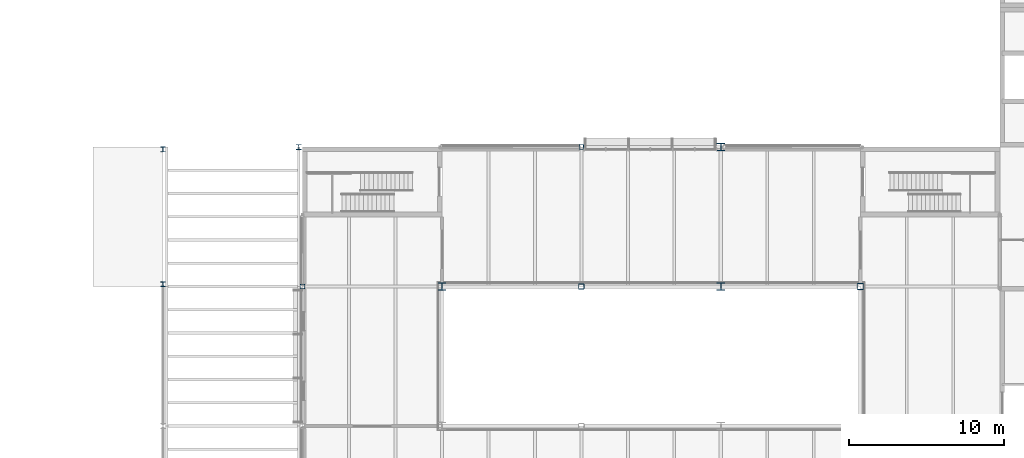
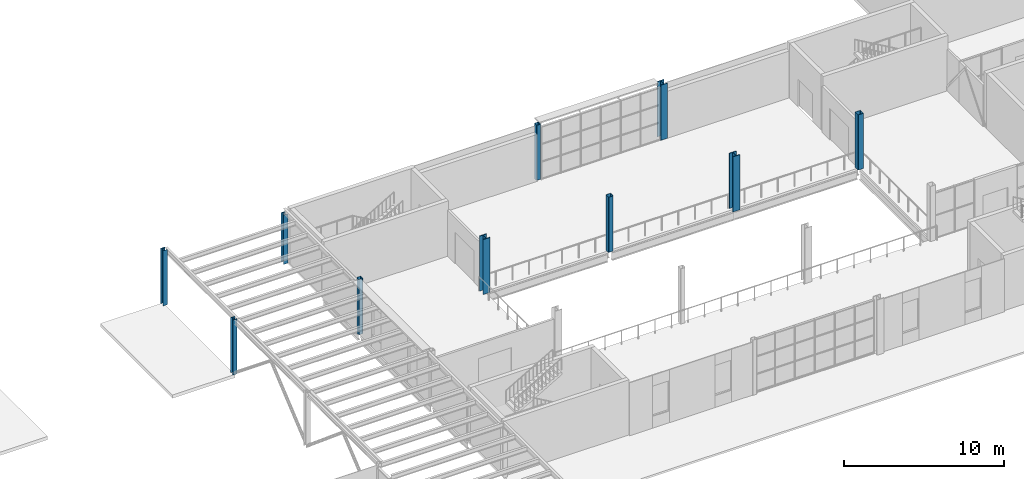
# One storey, part 3 of 57: 10 columns.
"""IFC4 building model written with IfcOpenShell, lengths in metres."""

from ifc_helpers import new_model, si_unit, direction, frame, origin, origin_2d, place, context, subcontext, project, spatial, hollow_rectangle, i_section, extrude, material, material_profile, profile_set, type_object, element, save


model = new_model("IFC4")

# Units and contexts
model_context = context("Model", 3, precision=1e-05, world=origin(), true_north=direction((0.0, 1.0)))
body_context = subcontext(model_context, "Body", "Model", "MODEL_VIEW")
ifc_project = project(units=[si_unit("LENGTHUNIT", "METRE"), si_unit("AREAUNIT", "SQUARE_METRE"), si_unit("VOLUMEUNIT", "CUBIC_METRE"), si_unit("PLANEANGLEUNIT", "RADIAN"), si_unit("MASSUNIT", "GRAM", prefix="KILO")], contexts=[model_context])

# Site, building, storey
site_placement = place(None, origin())
site = spatial("IfcSite", under=ifc_project, at=site_placement, CompositionType="ELEMENT")
building_placement = place(site_placement, origin())
building = spatial("IfcBuilding", under=site, at=building_placement, Name="Halyard Row Museum", CompositionType="ELEMENT")
storey_placement = place(building_placement, frame((0.0, 0.0, 5.0)))
storey = spatial("IfcBuildingStorey", under=building, at=storey_placement, Name="L01", CompositionType="ELEMENT", Elevation=5.0)

# Columns
ifc_material_1 = material(Name="Steel Grade C350L0", Category="steel")
ifc_material_profile_1 = material_profile(ifc_material_1, hollow_rectangle(XDim=0.300048828125, YDim=0.300048828125, WallThickness=0.01611328125, InnerFilletRadius=0.02392578125, OuterFilletRadius=0.0400390625, at=origin_2d()), Name="300x300x16.0SHS")
ifc_profile_set_1 = profile_set([ifc_material_profile_1], Name="Steel Grade C350L0")
column_type_1 = type_object("IfcColumnType", Name="Column 300x300x16.0SHS edge", PredefinedType="COLUMN", material=ifc_profile_set_1)
for number, where, z_axis, x_axis, name in (
    (1, (27.0, 36.0, 0.0), (0.0, 0.0, 1.0), (1.0, 0.0, 0.0), "Column 4E L01"),
    (2, (45.0, 45.0, 0.0), (0.0, 0.0, 1.0), (1.0, 0.0, 0.0), "Column 6F L01"),
):
    element("IfcColumn", number, at=place(storey_placement, frame(where, z_axis=z_axis, x_axis=x_axis)), inside=storey, type_object=column_type_1, Name=name, PredefinedType="COLUMN", context=body_context, shape_type="SweptSolid", body=[
        extrude(hollow_rectangle(XDim=0.300048828125, YDim=0.300048828125, WallThickness=0.01611328125, InnerFilletRadius=0.02392578125, OuterFilletRadius=0.0400390625, at=origin_2d()), origin(), (0.0, 0.0, 1.0), 4.199951171875),
    ])
ifc_material_2 = material(Name="Steel Grade C350L0", Category="steel")
ifc_material_profile_2 = material_profile(ifc_material_2, hollow_rectangle(XDim=0.35009765625, YDim=0.35009765625, WallThickness=0.01611328125, InnerFilletRadius=0.02392578125, OuterFilletRadius=0.0400390625, at=origin_2d()), Name="350x350x16.0SHS")
ifc_profile_set_2 = profile_set([ifc_material_profile_2], Name="Steel Grade C350L0")
column_type_2 = type_object("IfcColumnType", Name="Column 350x350x16.0SHS edge", PredefinedType="COLUMN", material=ifc_profile_set_2)
column_1_placement = place(storey_placement, frame((45.0, 36.0, 0.0), z_axis=(0.0, 0.0, 1.0), x_axis=(1.0, 0.0, 0.0)))
element("IfcColumn", 3, at=column_1_placement, inside=storey, type_object=column_type_2, Name="Column 6E L01", PredefinedType="COLUMN", context=body_context, shape_type="SweptSolid", body=[
    extrude(hollow_rectangle(XDim=0.35009765625, YDim=0.35009765625, WallThickness=0.01611328125, InnerFilletRadius=0.02392578125, OuterFilletRadius=0.0400390625, at=origin_2d()), origin(), (0.0, 0.0, 1.0), 4.199951171875),
])
ifc_material_3 = material(Name="Steel Grade C350L0", Category="steel")
ifc_material_profile_3 = material_profile(ifc_material_3, hollow_rectangle(XDim=0.39990234375, YDim=0.39990234375, WallThickness=0.01611328125, InnerFilletRadius=0.02392578125, OuterFilletRadius=0.0400390625, at=origin_2d()), Name="400x400x16.0SHS")
ifc_profile_set_3 = profile_set([ifc_material_profile_3], Name="Steel Grade C350L0")
column_type_3 = type_object("IfcColumnType", Name="Column 400x400x16.0SHS edge", PredefinedType="COLUMN", material=ifc_profile_set_3)
column_2_placement = place(storey_placement, frame((63.0, 36.0, 0.0), z_axis=(0.0, 0.0, 1.0), x_axis=(1.0, 0.0, 0.0)))
element("IfcColumn", 4, at=column_2_placement, inside=storey, type_object=column_type_3, Name="Column 8E L01", PredefinedType="COLUMN", context=body_context, shape_type="SweptSolid", body=[
    extrude(hollow_rectangle(XDim=0.39990234375, YDim=0.39990234375, WallThickness=0.01611328125, InnerFilletRadius=0.02392578125, OuterFilletRadius=0.0400390625, at=origin_2d()), origin(), (0.0, 0.0, 1.0), 4.199951171875),
])
ifc_material_4 = material(Name="Steel Grade 300", Category="steel")
ifc_material_profile_4 = material_profile(ifc_material_4, i_section(OverallWidth=0.5, OverallDepth=0.47998046875, WebThickness=0.0400390625, FlangeThickness=0.0400390625, at=origin_2d()), Name="500WC440")
ifc_profile_set_4 = profile_set([ifc_material_profile_4], Name="Steel Grade 300")
column_type_4 = type_object("IfcColumnType", Name="Column 500WC440 truss", PredefinedType="COLUMN", material=ifc_profile_set_4)
for number, where, z_axis, x_axis, name in (
    (5, (36.0, 36.0, 0.0), (0.0, 0.0, 1.0), (1.0, 0.0, 0.0), "Column 5E L01"),
    (6, (54.0, 36.0, 0.0), (0.0, 0.0, 1.0), (1.0, 0.0, 0.0), "Column 7E L01"),
    (7, (54.0, 45.0, 0.0), (0.0, 0.0, 1.0), (1.0, 0.0, 0.0), "Column 7F L01"),
):
    element("IfcColumn", number, at=place(storey_placement, frame(where, z_axis=z_axis, x_axis=x_axis)), inside=storey, type_object=column_type_4, Name=name, PredefinedType="COLUMN", context=body_context, shape_type="SweptSolid", body=[
        extrude(i_section(OverallWidth=0.5, OverallDepth=0.47998046875, WebThickness=0.0400390625, FlangeThickness=0.0400390625, at=origin_2d()), origin(), (0.0, 0.0, 1.0), 4.199951171875),
    ])
ifc_material_5 = material(Name="Steel Grade 300", Category="steel")
ifc_material_profile_5 = material_profile(ifc_material_5, i_section(OverallWidth=0.31103515625, OverallDepth=0.3271484375, WebThickness=0.015625, FlangeThickness=0.02490234375, FilletRadius=0.0166015625, at=origin_2d()), Name="310UC158")
ifc_profile_set_5 = profile_set([ifc_material_profile_5], Name="Steel Grade 300")
column_type_5 = type_object("IfcColumnType", Name="Hall frame column 310UC158", PredefinedType="COLUMN", material=ifc_profile_set_5)
for number, where, z_axis, x_axis, name in (
    (8, (18.0, 36.14990234375, 0.0), (0.0, 0.0, 1.0), (1.0, 0.0, 0.0), "Hall frame column L01 y 36"),
    (9, (18.0, 44.85009765625, 0.0), (0.0, 0.0, 1.0), (1.0, 0.0, 0.0), "Hall frame column L01 y 45"),
):
    element("IfcColumn", number, at=place(storey_placement, frame(where, z_axis=z_axis, x_axis=x_axis)), inside=storey, type_object=column_type_5, Name=name, PredefinedType="COLUMN", context=body_context, shape_type="SweptSolid", body=[
        extrude(i_section(OverallWidth=0.31103515625, OverallDepth=0.3271484375, WebThickness=0.015625, FlangeThickness=0.02490234375, FilletRadius=0.0166015625, at=origin_2d()), origin(), (0.0, 0.0, 1.0), 4.199951171875),
    ])
ifc_material_6 = material(Name="Steel Grade 300", Category="steel")
ifc_material_profile_6 = material_profile(ifc_material_6, i_section(OverallWidth=0.31103515625, OverallDepth=0.3271484375, WebThickness=0.015625, FlangeThickness=0.02490234375, FilletRadius=0.0166015625, at=origin_2d()), Name="310UC158")
ifc_profile_set_6 = profile_set([ifc_material_profile_6], Name="Steel Grade 300")
column_type_6 = type_object("IfcColumnType", Name="Passage column 310UC158", PredefinedType="COLUMN", material=ifc_profile_set_6)
column_3_placement = place(storey_placement, frame((26.755615234375, 45.0, 0.0), z_axis=(0.0, 0.0, 1.0), x_axis=(1.0, 0.0, 0.0)))
element("IfcColumn", 10, at=column_3_placement, inside=storey, type_object=column_type_6, Name="Passage column L01 y 45", PredefinedType="COLUMN", context=body_context, shape_type="SweptSolid", body=[
    extrude(i_section(OverallWidth=0.31103515625, OverallDepth=0.3271484375, WebThickness=0.015625, FlangeThickness=0.02490234375, FilletRadius=0.0166015625, at=origin_2d()), origin(), (0.0, 0.0, 1.0), 3.75732421875),
])

save(model, "model.ifc")
